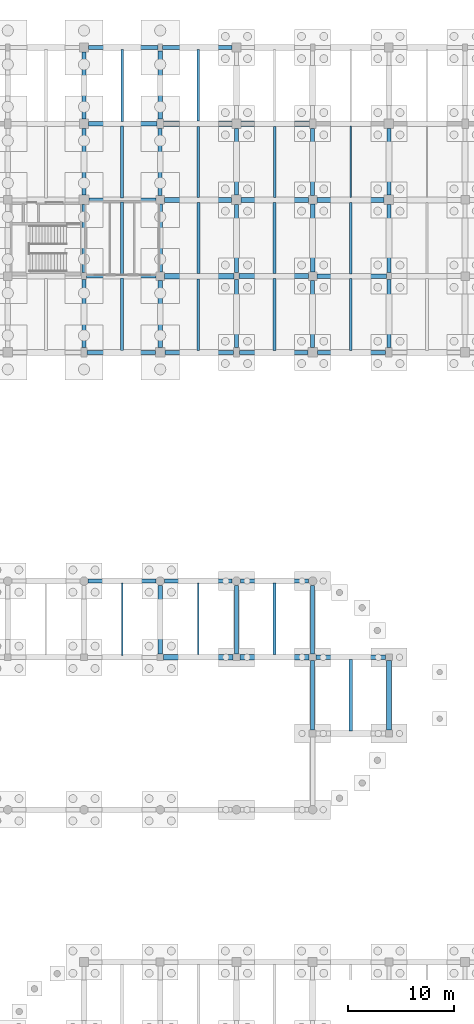
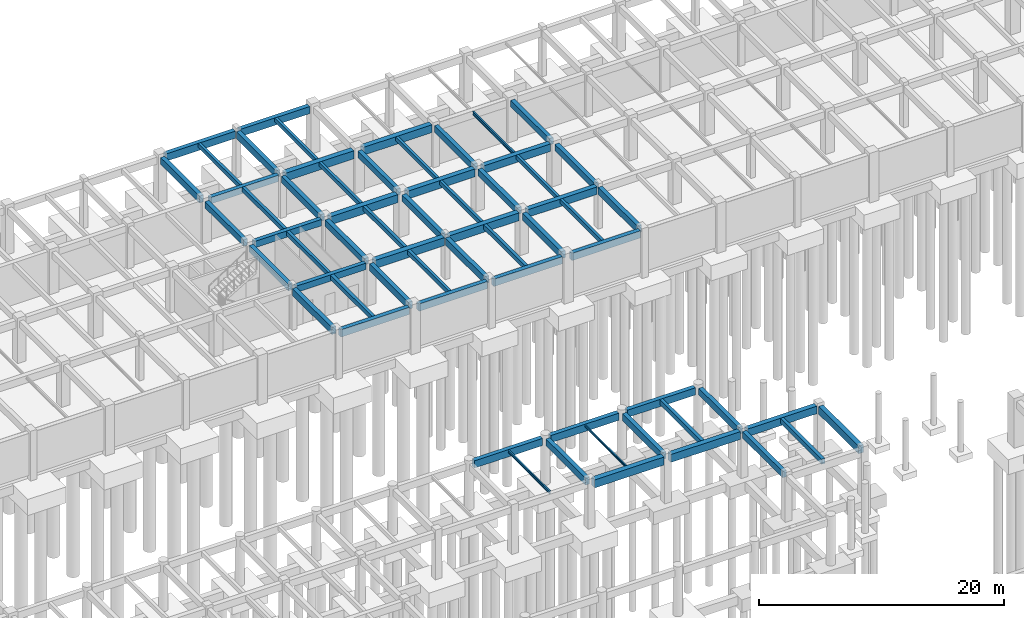
# One storey, part 31 of 47: 63 beams.
"""IFC4 building model written with IfcOpenShell, lengths in metres."""

from ifc_helpers import new_model, si_unit, direction, frame, origin, origin_2d, place, context, subcontext, project, spatial, rectangle, i_section, extrude, material, material_profile, profile_set, type_object, element, save


model = new_model("IFC4")

# Units and contexts
model_context = context("Model", 3, precision=1e-05, world=origin(), true_north=direction((0.0, 1.0)))
body_context = subcontext(model_context, "Body", "Model", "MODEL_VIEW")
ifc_project = project(units=[si_unit("LENGTHUNIT", "METRE"), si_unit("AREAUNIT", "SQUARE_METRE"), si_unit("VOLUMEUNIT", "CUBIC_METRE"), si_unit("PLANEANGLEUNIT", "RADIAN"), si_unit("MASSUNIT", "GRAM", prefix="KILO")], contexts=[model_context])

# Site, building, storey
site_placement = place(None, origin())
site = spatial("IfcSite", under=ifc_project, at=site_placement, CompositionType="ELEMENT")
building_placement = place(site_placement, origin())
building = spatial("IfcBuilding", under=site, at=building_placement, Name="Thalmaran Polytechnic", CompositionType="ELEMENT")
storey_placement = place(building_placement, frame((0.0, 0.0, -4.5)))
storey = spatial("IfcBuildingStorey", under=building, at=storey_placement, Name="B1", CompositionType="ELEMENT", Elevation=-4.5)

# Beams
ifc_material_1 = material(Name="Concrete C40/50", Category="concrete")
ifc_material_profile_1 = material_profile(ifc_material_1, rectangle(XDim=0.5, YDim=0.800048828125, at=origin_2d()), Name="RC 500x800")
ifc_profile_set_1 = profile_set([ifc_material_profile_1], Name="Concrete C40/50")
beam_type_1 = type_object("IfcBeamType", Name="BM-RC02", PredefinedType="BEAM", material=ifc_profile_set_1)
beam_1_placement = place(storey_placement, frame((72.324951171875, 64.800048828125, 3.7900390625), z_axis=(1.0, 0.0, 0.0), x_axis=(0.0, 1.0, 0.0)))
element("IfcBeam", 1, at=beam_1_placement, inside=storey, type_object=beam_type_1, Name="Grid Beam B02 B1 X(10,9)", PredefinedType="BEAM", context=body_context, shape_type="SweptSolid", body=[
    extrude(rectangle(XDim=0.5, YDim=0.800048828125, at=origin_2d()), origin(), (0.0, 0.0, 1.0), 6.550048828125),
])
beam_2_placement = place(storey_placement, frame((72.409912109375, 100.800048828125, 3.77001953125), z_axis=(1.0, 0.0, 0.0), x_axis=(0.0, 1.0, 0.0)))
element("IfcBeam", 2, at=beam_2_placement, inside=storey, type_object=beam_type_1, Name="Grid Beam B02 B1 X(10,14)", PredefinedType="BEAM", context=body_context, shape_type="SweptSolid", body=[
    extrude(rectangle(XDim=0.5, YDim=0.800048828125, at=origin_2d()), origin(), (0.0, 0.0, 1.0), 6.565185546875),
])
beam_3_placement = place(storey_placement, frame((72.39990234375, 108.0, 3.77001953125), z_axis=(1.0, 0.0, 0.0), x_axis=(0.0, 1.0, 0.0)))
element("IfcBeam", 3, at=beam_3_placement, inside=storey, type_object=beam_type_1, Name="Grid Beam B02 B1 X(10,15)", PredefinedType="BEAM", context=body_context, shape_type="SweptSolid", body=[
    extrude(rectangle(XDim=0.5, YDim=0.800048828125, at=origin_2d()), origin(), (0.0, 0.0, 1.0), 6.35009765625),
])
beam_4_placement = place(storey_placement, frame((72.300048828125, 115.199951171875, 3.77001953125), z_axis=(1.0, 0.0, 0.0), x_axis=(0.0, 1.0, 0.0)))
element("IfcBeam", 4, at=beam_4_placement, inside=storey, type_object=beam_type_1, Name="Grid Beam B02 B1 X(10,16)", PredefinedType="BEAM", context=body_context, shape_type="SweptSolid", body=[
    extrude(rectangle(XDim=0.5, YDim=0.800048828125, at=origin_2d()), origin(), (0.0, 0.0, 1.0), 6.4599609375),
])
ifc_material_profile_2 = material_profile(ifc_material_1, rectangle(XDim=0.449951171875, YDim=0.75, at=origin_2d()), Name="RC 450x750")
ifc_profile_set_2 = profile_set([ifc_material_profile_2], Name="Concrete C40/50")
beam_type_2 = type_object("IfcBeamType", Name="BM-RC03", PredefinedType="BEAM", material=ifc_profile_set_2)
beam_5_placement = place(storey_placement, frame((86.72509765625, 64.800048828125, 3.81494140625), z_axis=(1.0, 0.0, 0.0), x_axis=(0.0, 1.0, 0.0)))
element("IfcBeam", 5, at=beam_5_placement, inside=storey, type_object=beam_type_2, Name="Grid Beam B03 B1 X(12,9)", PredefinedType="BEAM", context=body_context, shape_type="SweptSolid", body=[
    extrude(rectangle(XDim=0.449951171875, YDim=0.75, at=origin_2d()), origin(), (0.0, 0.0, 1.0), 6.5498046875),
])
beam_6_placement = place(storey_placement, frame((86.81005859375, 100.800048828125, 3.794921875), z_axis=(1.0, 0.0, 0.0), x_axis=(0.0, 1.0, 0.0)))
element("IfcBeam", 6, at=beam_6_placement, inside=storey, type_object=beam_type_2, Name="Grid Beam B03 B1 X(12,14)", PredefinedType="BEAM", context=body_context, shape_type="SweptSolid", body=[
    extrude(rectangle(XDim=0.449951171875, YDim=0.75, at=origin_2d()), origin(), (0.0, 0.0, 1.0), 6.56494140625),
])
beam_7_placement = place(storey_placement, frame((86.800048828125, 108.0, 3.794921875), z_axis=(1.0, 0.0, 0.0), x_axis=(0.0, 1.0, 0.0)))
element("IfcBeam", 7, at=beam_7_placement, inside=storey, type_object=beam_type_2, Name="Grid Beam B03 B1 X(12,15)", PredefinedType="BEAM", context=body_context, shape_type="SweptSolid", body=[
    extrude(rectangle(XDim=0.449951171875, YDim=0.75, at=origin_2d()), origin(), (0.0, 0.0, 1.0), 6.349853515625),
])
ifc_material_profile_3 = material_profile(ifc_material_1, rectangle(XDim=0.39990234375, YDim=0.6298828125, at=origin_2d()), Name="RC 400x630")
ifc_profile_set_3 = profile_set([ifc_material_profile_3], Name="Concrete C40/50")
beam_type_3 = type_object("IfcBeamType", Name="BM-RC07", PredefinedType="BEAM", material=ifc_profile_set_3)
beam_8_placement = place(storey_placement, frame((64.800048828125, 101.125, 3.85498046875), z_axis=(0.0, 1.0, 0.0), x_axis=(-1.0, 0.0, 0.0)))
element("IfcBeam", 8, at=beam_8_placement, inside=storey, type_object=beam_type_3, Name="Grid Beam B07 B1 Y(9,14)", PredefinedType="BEAM", context=body_context, shape_type="SweptSolid", body=[
    extrude(rectangle(XDim=0.39990234375, YDim=0.6298828125, at=origin_2d()), origin(), (0.0, 0.0, 1.0), 6.425048828125),
])
beam_9_placement = place(storey_placement, frame((72.0, 101.2099609375, 3.85498046875), z_axis=(0.0, 1.0, 0.0), x_axis=(-1.0, 0.0, 0.0)))
element("IfcBeam", 9, at=beam_9_placement, inside=storey, type_object=beam_type_3, Name="Grid Beam B07 B1 Y(10,14)", PredefinedType="BEAM", context=body_context, shape_type="SweptSolid", body=[
    extrude(rectangle(XDim=0.39990234375, YDim=0.6298828125, at=origin_2d()), origin(), (0.0, 0.0, 1.0), 6.39013671875),
])
beam_10_placement = place(storey_placement, frame((79.199951171875, 101.125, 3.85498046875), z_axis=(0.0, 1.0, 0.0), x_axis=(-1.0, 0.0, 0.0)))
element("IfcBeam", 10, at=beam_10_placement, inside=storey, type_object=beam_type_3, Name="Grid Beam B07 B1 Y(11,14)", PredefinedType="BEAM", context=body_context, shape_type="SweptSolid", body=[
    extrude(rectangle(XDim=0.39990234375, YDim=0.6298828125, at=origin_2d()), origin(), (0.0, 0.0, 1.0), 6.425048828125),
])
beam_11_placement = place(storey_placement, frame((86.39990234375, 101.2099609375, 3.85498046875), z_axis=(0.0, 1.0, 0.0), x_axis=(-1.0, 0.0, 0.0)))
element("IfcBeam", 11, at=beam_11_placement, inside=storey, type_object=beam_type_3, Name="Grid Beam B07 B1 Y(12,14)", PredefinedType="BEAM", context=body_context, shape_type="SweptSolid", body=[
    extrude(rectangle(XDim=0.39990234375, YDim=0.6298828125, at=origin_2d()), origin(), (0.0, 0.0, 1.0), 6.39013671875),
])
beam_12_placement = place(storey_placement, frame((93.60009765625, 101.125, 3.85498046875), z_axis=(0.0, 1.0, 0.0), x_axis=(-1.0, 0.0, 0.0)))
element("IfcBeam", 12, at=beam_12_placement, inside=storey, type_object=beam_type_3, Name="Grid Beam B07 B1 Y(13,14)", PredefinedType="BEAM", context=body_context, shape_type="SweptSolid", body=[
    extrude(rectangle(XDim=0.39990234375, YDim=0.6298828125, at=origin_2d()), origin(), (0.0, 0.0, 1.0), 6.425048828125),
])
ifc_material_profile_4 = material_profile(ifc_material_1, rectangle(XDim=0.389892578125, YDim=0.68505859375, at=origin_2d()), Name="RC 390x685")
ifc_profile_set_4 = profile_set([ifc_material_profile_4], Name="Concrete C40/50")
beam_type_4 = type_object("IfcBeamType", Name="BM-RC08", PredefinedType="BEAM", material=ifc_profile_set_4)
beam_13_placement = place(storey_placement, frame((64.800048828125, 115.639892578125, 3.827392578125), z_axis=(0.0, 1.0, 0.0), x_axis=(-1.0, 0.0, 0.0)))
element("IfcBeam", 13, at=beam_13_placement, inside=storey, type_object=beam_type_4, Name="Grid Beam B08 B1 Y(9,16)", PredefinedType="BEAM", context=body_context, shape_type="SweptSolid", body=[
    extrude(rectangle(XDim=0.389892578125, YDim=0.68505859375, at=origin_2d()), origin(), (0.0, 0.0, 1.0), 6.35009765625),
])
beam_14_placement = place(storey_placement, frame((72.0, 65.125, 3.847412109375), z_axis=(0.0, 1.0, 0.0), x_axis=(-1.0, 0.0, 0.0)))
element("IfcBeam", 14, at=beam_14_placement, inside=storey, type_object=beam_type_4, Name="Grid Beam B08 B1 Y(10,9)", PredefinedType="BEAM", context=body_context, shape_type="SweptSolid", body=[
    extrude(rectangle(XDim=0.389892578125, YDim=0.68505859375, at=origin_2d()), origin(), (0.0, 0.0, 1.0), 6.47509765625),
])
beam_15_placement = place(storey_placement, frame((72.0, 115.64990234375, 3.827392578125), z_axis=(0.0, 1.0, 0.0), x_axis=(-1.0, 0.0, 0.0)))
element("IfcBeam", 15, at=beam_15_placement, inside=storey, type_object=beam_type_4, Name="Grid Beam B08 B1 Y(10,16)", PredefinedType="BEAM", context=body_context, shape_type="SweptSolid", body=[
    extrude(rectangle(XDim=0.389892578125, YDim=0.68505859375, at=origin_2d()), origin(), (0.0, 0.0, 1.0), 6.425048828125),
])
for number, where, z_axis, x_axis, name in (
    (16, (79.199951171875, 65.125, 3.847412109375), (0.0, 1.0, 0.0), (-1.0, 0.0, 0.0), "Grid Beam B08 B1 Y(11,9)"),
    (17, (86.39990234375, 65.125, 3.847412109375), (0.0, 1.0, 0.0), (-1.0, 0.0, 0.0), "Grid Beam B08 B1 Y(12,9)"),
):
    element("IfcBeam", number, at=place(storey_placement, frame(where, z_axis=z_axis, x_axis=x_axis)), inside=storey, type_object=beam_type_4, Name=name, PredefinedType="BEAM", context=body_context, shape_type="SweptSolid", body=[
        extrude(rectangle(XDim=0.389892578125, YDim=0.68505859375, at=origin_2d()), origin(), (0.0, 0.0, 1.0), 6.47509765625),
    ])
ifc_material_profile_5 = material_profile(ifc_material_1, rectangle(XDim=0.389892578125, YDim=0.695068359375, at=origin_2d()), Name="RC 390x695")
ifc_profile_set_5 = profile_set([ifc_material_profile_5], Name="Concrete C40/50")
beam_type_5 = type_object("IfcBeamType", Name="BM-RC10", PredefinedType="BEAM", material=ifc_profile_set_5)
beam_16_placement = place(storey_placement, frame((64.800048828125, 94.050048828125, 3.822509765625), z_axis=(0.0, 1.0, 0.0), x_axis=(-1.0, 0.0, 0.0)))
element("IfcBeam", 18, at=beam_16_placement, inside=storey, type_object=beam_type_5, Name="Grid Beam B10 B1 Y(9,13)", PredefinedType="BEAM", context=body_context, shape_type="SweptSolid", body=[
    extrude(rectangle(XDim=0.389892578125, YDim=0.695068359375, at=origin_2d()), origin(), (0.0, 0.0, 1.0), 6.425048828125),
])
beam_17_placement = place(storey_placement, frame((72.0, 94.0400390625, 3.822509765625), z_axis=(0.0, 1.0, 0.0), x_axis=(-1.0, 0.0, 0.0)))
element("IfcBeam", 19, at=beam_17_placement, inside=storey, type_object=beam_type_5, Name="Grid Beam B10 B1 Y(10,13)", PredefinedType="BEAM", context=body_context, shape_type="SweptSolid", body=[
    extrude(rectangle(XDim=0.389892578125, YDim=0.695068359375, at=origin_2d()), origin(), (0.0, 0.0, 1.0), 6.349853515625),
])
beam_18_placement = place(storey_placement, frame((79.199951171875, 94.050048828125, 3.822509765625), z_axis=(0.0, 1.0, 0.0), x_axis=(-1.0, 0.0, 0.0)))
element("IfcBeam", 20, at=beam_18_placement, inside=storey, type_object=beam_type_5, Name="Grid Beam B10 B1 Y(11,13)", PredefinedType="BEAM", context=body_context, shape_type="SweptSolid", body=[
    extrude(rectangle(XDim=0.389892578125, YDim=0.695068359375, at=origin_2d()), origin(), (0.0, 0.0, 1.0), 6.425048828125),
])
beam_19_placement = place(storey_placement, frame((86.39990234375, 94.0400390625, 3.822509765625), z_axis=(0.0, 1.0, 0.0), x_axis=(-1.0, 0.0, 0.0)))
element("IfcBeam", 21, at=beam_19_placement, inside=storey, type_object=beam_type_5, Name="Grid Beam B10 B1 Y(12,13)", PredefinedType="BEAM", context=body_context, shape_type="SweptSolid", body=[
    extrude(rectangle(XDim=0.389892578125, YDim=0.695068359375, at=origin_2d()), origin(), (0.0, 0.0, 1.0), 6.349853515625),
])
beam_20_placement = place(storey_placement, frame((93.60009765625, 94.050048828125, 3.822509765625), z_axis=(0.0, 1.0, 0.0), x_axis=(-1.0, 0.0, 0.0)))
element("IfcBeam", 22, at=beam_20_placement, inside=storey, type_object=beam_type_5, Name="Grid Beam B10 B1 Y(13,13)", PredefinedType="BEAM", context=body_context, shape_type="SweptSolid", body=[
    extrude(rectangle(XDim=0.389892578125, YDim=0.695068359375, at=origin_2d()), origin(), (0.0, 0.0, 1.0), 6.425048828125),
])
ifc_material_profile_6 = material_profile(ifc_material_1, rectangle(XDim=0.300048828125, YDim=0.5, at=origin_2d()), Name="RC 300x500")
ifc_profile_set_6 = profile_set([ifc_material_profile_6], Name="Concrete C40/50")
beam_type_6 = type_object("IfcBeamType", Name="BM-RC11", PredefinedType="JOIST", material=ifc_profile_set_6)
beam_21_placement = place(storey_placement, frame((82.800048828125, 65.0400390625, 3.93994140625), z_axis=(0.0, 1.0, 0.0), x_axis=(-1.0, 0.0, 0.0)))
element("IfcBeam", 23, at=beam_21_placement, inside=storey, type_object=beam_type_6, Name="Secondary Floor Rib RB01 B1 (11,9)", PredefinedType="JOIST", context=body_context, shape_type="SweptSolid", body=[
    extrude(rectangle(XDim=0.300048828125, YDim=0.5, at=origin_2d()), origin(), (0.0, 0.0, 1.0), 6.760009765625),
])
beam_22_placement = place(storey_placement, frame((90.0, 57.824951171875, 3.93994140625), z_axis=(0.0, 1.0, 0.0), x_axis=(-1.0, 0.0, 0.0)))
element("IfcBeam", 24, at=beam_22_placement, inside=storey, type_object=beam_type_6, Name="Secondary Floor Rib RB01 B1 (12,8)", PredefinedType="JOIST", context=body_context, shape_type="SweptSolid", body=[
    extrude(rectangle(XDim=0.300048828125, YDim=0.5, at=origin_2d()), origin(), (0.0, 0.0, 1.0), 6.75),
])
ifc_material_profile_7 = material_profile(ifc_material_1, rectangle(XDim=0.300048828125, YDim=0.449951171875, at=origin_2d()), Name="RC 300x450")
ifc_profile_set_7 = profile_set([ifc_material_profile_7], Name="Concrete C40/50")
beam_type_7 = type_object("IfcBeamType", Name="BM-RC12", PredefinedType="JOIST", material=ifc_profile_set_7)
beam_23_placement = place(storey_placement, frame((68.39990234375, 93.800048828125, 3.945068359375), z_axis=(0.0, 1.0, 0.0), x_axis=(-1.0, 0.0, 0.0)))
element("IfcBeam", 25, at=beam_23_placement, inside=storey, type_object=beam_type_7, Name="Secondary Floor Rib RB02 B1 (9,13)", PredefinedType="JOIST", context=body_context, shape_type="SweptSolid", body=[
    extrude(rectangle(XDim=0.300048828125, YDim=0.449951171875, at=origin_2d()), origin(), (0.0, 0.0, 1.0), 6.81005859375),
])
ifc_material_profile_8 = material_profile(ifc_material_1, rectangle(XDim=0.280029296875, YDim=0.449951171875, at=origin_2d()), Name="RC 280x450")
ifc_profile_set_8 = profile_set([ifc_material_profile_8], Name="Concrete C40/50")
beam_type_8 = type_object("IfcBeamType", Name="BM-RC13", PredefinedType="JOIST", material=ifc_profile_set_8)
beam_24_placement = place(storey_placement, frame((68.39990234375, 108.18994140625, 3.945068359375), z_axis=(0.0, 1.0, 0.0), x_axis=(-1.0, 0.0, 0.0)))
element("IfcBeam", 26, at=beam_24_placement, inside=storey, type_object=beam_type_8, Name="Secondary Floor Rib RB03 B1 (9,15)", PredefinedType="JOIST", context=body_context, shape_type="SweptSolid", body=[
    extrude(rectangle(XDim=0.280029296875, YDim=0.449951171875, at=origin_2d()), origin(), (0.0, 0.0, 1.0), 6.820068359375),
])
beam_25_placement = place(storey_placement, frame((75.60009765625, 101.050048828125, 3.945068359375), z_axis=(0.0, 1.0, 0.0), x_axis=(-1.0, 0.0, 0.0)))
element("IfcBeam", 27, at=beam_25_placement, inside=storey, type_object=beam_type_8, Name="Secondary Floor Rib RB03 B1 (10,14)", PredefinedType="JOIST", context=body_context, shape_type="SweptSolid", body=[
    extrude(rectangle(XDim=0.280029296875, YDim=0.449951171875, at=origin_2d()), origin(), (0.0, 0.0, 1.0), 6.699951171875),
])
beam_26_placement = place(storey_placement, frame((82.800048828125, 93.800048828125, 3.945068359375), z_axis=(0.0, 1.0, 0.0), x_axis=(-1.0, 0.0, 0.0)))
element("IfcBeam", 28, at=beam_26_placement, inside=storey, type_object=beam_type_8, Name="Secondary Floor Rib RB03 B1 (11,13)", PredefinedType="JOIST", context=body_context, shape_type="SweptSolid", body=[
    extrude(rectangle(XDim=0.280029296875, YDim=0.449951171875, at=origin_2d()), origin(), (0.0, 0.0, 1.0), 6.760009765625),
])
ifc_material_2 = material(Name="Steel S355", Category="steel")
ifc_material_profile_9 = material_profile(ifc_material_2, i_section(OverallWidth=0.159912109375, OverallDepth=0.330078125, WebThickness=0.007568359375, FlangeThickness=0.011474609375, at=origin_2d()), Name="IPE 330")
ifc_profile_set_9 = profile_set([ifc_material_profile_9], Name="Steel S355")
beam_type_9 = type_object("IfcBeamType", Name="BM-SJ02", PredefinedType="JOIST", material=ifc_profile_set_9)
beam_27_placement = place(storey_placement, frame((90.0, 108.22509765625, 4.0048828125), z_axis=(0.0, 1.0, 0.0), x_axis=(-1.0, 0.0, 0.0)))
element("IfcBeam", 29, at=beam_27_placement, inside=storey, type_object=beam_type_9, Name="Secondary Floor Rib SJ02 B1 (12,15)", PredefinedType="JOIST", context=body_context, shape_type="SweptSolid", body=[
    extrude(i_section(OverallWidth=0.159912109375, OverallDepth=0.330078125, WebThickness=0.007568359375, FlangeThickness=0.011474609375, at=origin_2d()), origin(), (0.0, 0.0, 1.0), 6.75),
])
ifc_material_profile_10 = material_profile(ifc_material_2, i_section(OverallWidth=0.135009765625, OverallDepth=0.27001953125, WebThickness=0.006591796875, FlangeThickness=0.01025390625, at=origin_2d()), Name="IPE 270")
ifc_profile_set_10 = profile_set([ifc_material_profile_10], Name="Steel S355")
beam_type_10 = type_object("IfcBeamType", Name="BM-SJ03", PredefinedType="JOIST", material=ifc_profile_set_10)
beam_28_placement = place(storey_placement, frame((68.39990234375, 64.989990234375, 4.054931640625), z_axis=(0.0, 1.0, 0.0), x_axis=(-1.0, 0.0, 0.0)))
element("IfcBeam", 30, at=beam_28_placement, inside=storey, type_object=beam_type_10, Name="Secondary Floor Rib SJ03 B1 (9,9)", PredefinedType="JOIST", context=body_context, shape_type="SweptSolid", body=[
    extrude(i_section(OverallWidth=0.135009765625, OverallDepth=0.27001953125, WebThickness=0.006591796875, FlangeThickness=0.01025390625, at=origin_2d()), origin(), (0.0, 0.0, 1.0), 6.81005859375),
])
ifc_material_profile_11 = material_profile(ifc_material_2, i_section(OverallWidth=0.110107421875, OverallDepth=0.219970703125, WebThickness=0.005859375, FlangeThickness=0.00927734375, at=origin_2d()), Name="IPE 220")
ifc_profile_set_11 = profile_set([ifc_material_profile_11], Name="Steel S355")
beam_type_11 = type_object("IfcBeamType", Name="BM-SJ04", PredefinedType="JOIST", material=ifc_profile_set_11)
beam_29_placement = place(storey_placement, frame((75.60009765625, 65.050048828125, 4.080078125), z_axis=(0.0, 1.0, 0.0), x_axis=(-1.0, 0.0, 0.0)))
element("IfcBeam", 31, at=beam_29_placement, inside=storey, type_object=beam_type_11, Name="Secondary Floor Rib SJ04 B1 (10,9)", PredefinedType="JOIST", context=body_context, shape_type="SweptSolid", body=[
    extrude(i_section(OverallWidth=0.110107421875, OverallDepth=0.219970703125, WebThickness=0.005859375, FlangeThickness=0.00927734375, at=origin_2d()), origin(), (0.0, 0.0, 1.0), 6.75),
])
ifc_material_profile_12 = material_profile(ifc_material_1, rectangle(XDim=0.39990234375, YDim=0.719970703125, at=origin_2d()), Name="RC 400x720")
ifc_profile_set_12 = profile_set([ifc_material_profile_12], Name="Concrete C40/50")
beam_type_12 = type_object("IfcBeamType", Name="BM-SP01", PredefinedType="SPANDREL", material=ifc_profile_set_12)
beam_30_placement = place(storey_placement, frame((65.199951171875, 72.0, 3.830078125), z_axis=(1.0, 0.0, 0.0), x_axis=(0.0, 1.0, 0.0)))
element("IfcBeam", 32, at=beam_30_placement, inside=storey, type_object=beam_type_12, Name="Grid Beam SP01 B1 X(9,10)", PredefinedType="SPANDREL", context=body_context, shape_type="SweptSolid", body=[
    extrude(rectangle(XDim=0.39990234375, YDim=0.719970703125, at=origin_2d()), origin(), (0.0, 0.0, 1.0), 6.400146484375),
])
beam_31_placement = place(storey_placement, frame((65.10009765625, 93.60009765625, 3.81005859375), z_axis=(1.0, 0.0, 0.0), x_axis=(0.0, 1.0, 0.0)))
element("IfcBeam", 33, at=beam_31_placement, inside=storey, type_object=beam_type_12, Name="Grid Beam SP01 B1 X(9,13)", PredefinedType="SPANDREL", context=body_context, shape_type="SweptSolid", body=[
    extrude(rectangle(XDim=0.39990234375, YDim=0.719970703125, at=origin_2d()), origin(), (0.0, 0.0, 1.0), 6.4599609375),
])
beam_32_placement = place(storey_placement, frame((65.2099609375, 122.39990234375, 3.81005859375), z_axis=(1.0, 0.0, 0.0), x_axis=(0.0, 1.0, 0.0)))
element("IfcBeam", 34, at=beam_32_placement, inside=storey, type_object=beam_type_12, Name="Grid Beam SP01 B1 X(9,17)", PredefinedType="SPANDREL", context=body_context, shape_type="SweptSolid", body=[
    extrude(rectangle(XDim=0.39990234375, YDim=0.719970703125, at=origin_2d()), origin(), (0.0, 0.0, 1.0), 6.56494140625),
])
beam_33_placement = place(storey_placement, frame((72.39990234375, 72.0, 3.830078125), z_axis=(1.0, 0.0, 0.0), x_axis=(0.0, 1.0, 0.0)))
element("IfcBeam", 35, at=beam_33_placement, inside=storey, type_object=beam_type_12, Name="Grid Beam SP01 B1 X(10,10)", PredefinedType="SPANDREL", context=body_context, shape_type="SweptSolid", body=[
    extrude(rectangle(XDim=0.39990234375, YDim=0.719970703125, at=origin_2d()), origin(), (0.0, 0.0, 1.0), 6.400146484375),
])
beam_34_placement = place(storey_placement, frame((72.43994140625, 93.60009765625, 3.81005859375), z_axis=(1.0, 0.0, 0.0), x_axis=(0.0, 1.0, 0.0)))
element("IfcBeam", 36, at=beam_34_placement, inside=storey, type_object=beam_type_12, Name="Grid Beam SP01 B1 X(10,13)", PredefinedType="SPANDREL", context=body_context, shape_type="SweptSolid", body=[
    extrude(rectangle(XDim=0.39990234375, YDim=0.719970703125, at=origin_2d()), origin(), (0.0, 0.0, 1.0), 6.4599609375),
])
beam_35_placement = place(storey_placement, frame((72.22509765625, 122.39990234375, 3.81005859375), z_axis=(1.0, 0.0, 0.0), x_axis=(0.0, 1.0, 0.0)))
element("IfcBeam", 37, at=beam_35_placement, inside=storey, type_object=beam_type_12, Name="Grid Beam SP01 B1 X(10,17)", PredefinedType="SPANDREL", context=body_context, shape_type="SweptSolid", body=[
    extrude(rectangle(XDim=0.39990234375, YDim=0.719970703125, at=origin_2d()), origin(), (0.0, 0.0, 1.0), 6.56494140625),
])
beam_36_placement = place(storey_placement, frame((79.60009765625, 72.0, 3.830078125), z_axis=(1.0, 0.0, 0.0), x_axis=(0.0, 1.0, 0.0)))
element("IfcBeam", 38, at=beam_36_placement, inside=storey, type_object=beam_type_12, Name="Grid Beam SP01 B1 X(11,10)", PredefinedType="SPANDREL", context=body_context, shape_type="SweptSolid", body=[
    extrude(rectangle(XDim=0.39990234375, YDim=0.719970703125, at=origin_2d()), origin(), (0.0, 0.0, 1.0), 6.39990234375),
])
for number, where, z_axis, x_axis, name in (
    (39, (79.5, 93.60009765625, 3.81005859375), (1.0, 0.0, 0.0), (0.0, 1.0, 0.0), "Grid Beam SP01 B1 X(11,13)"),
    (40, (86.840087890625, 93.60009765625, 3.81005859375), (1.0, 0.0, 0.0), (0.0, 1.0, 0.0), "Grid Beam SP01 B1 X(12,13)"),
):
    element("IfcBeam", number, at=place(storey_placement, frame(where, z_axis=z_axis, x_axis=x_axis)), inside=storey, type_object=beam_type_12, Name=name, PredefinedType="SPANDREL", context=body_context, shape_type="SweptSolid", body=[
        extrude(rectangle(XDim=0.39990234375, YDim=0.719970703125, at=origin_2d()), origin(), (0.0, 0.0, 1.0), 6.4599609375),
    ])
ifc_material_profile_13 = material_profile(ifc_material_1, rectangle(XDim=0.449951171875, YDim=0.7548828125, at=origin_2d()), Name="RC 450x755")
ifc_profile_set_13 = profile_set([ifc_material_profile_13], Name="Concrete C40/50")
beam_type_13 = type_object("IfcBeamType", Name="BM-SP02", PredefinedType="SPANDREL", material=ifc_profile_set_13)
beam_37_placement = place(storey_placement, frame((93.60009765625, 57.925048828125, 3.8125), z_axis=(0.0, 1.0, 0.0), x_axis=(-1.0, 0.0, 0.0)))
element("IfcBeam", 41, at=beam_37_placement, inside=storey, type_object=beam_type_13, Name="Grid Beam SP02 B1 Y(13,8)", PredefinedType="SPANDREL", context=body_context, shape_type="SweptSolid", body=[
    extrude(rectangle(XDim=0.449951171875, YDim=0.7548828125, at=origin_2d()), origin(), (0.0, 0.0, 1.0), 6.550048828125),
])
ifc_material_profile_14 = material_profile(ifc_material_1, rectangle(XDim=0.47998046875, YDim=0.780029296875, at=origin_2d()), Name="RC 480x780")
ifc_profile_set_14 = profile_set([ifc_material_profile_14], Name="Concrete C40/50")
beam_type_14 = type_object("IfcBeamType", Name="BM-ZB01", PredefinedType="BEAM", material=ifc_profile_set_14)
beam_38_placement = place(storey_placement, frame((79.52490234375, 64.800048828125, 3.800048828125), z_axis=(1.0, 0.0, 0.0), x_axis=(0.0, 1.0, 0.0)))
element("IfcBeam", 42, at=beam_38_placement, inside=storey, type_object=beam_type_14, Name="Grid Beam ZB01 B1 X(11,9)", PredefinedType="BEAM", context=body_context, shape_type="SweptSolid", body=[
    extrude(rectangle(XDim=0.47998046875, YDim=0.780029296875, at=origin_2d()), origin(), (0.0, 0.0, 1.0), 6.550048828125),
])
beam_39_placement = place(storey_placement, frame((79.425048828125, 100.800048828125, 3.780029296875), z_axis=(1.0, 0.0, 0.0), x_axis=(0.0, 1.0, 0.0)))
element("IfcBeam", 43, at=beam_39_placement, inside=storey, type_object=beam_type_14, Name="Grid Beam ZB01 B1 X(11,14)", PredefinedType="BEAM", context=body_context, shape_type="SweptSolid", body=[
    extrude(rectangle(XDim=0.47998046875, YDim=0.780029296875, at=origin_2d()), origin(), (0.0, 0.0, 1.0), 6.56494140625),
])
beam_40_placement = place(storey_placement, frame((79.64990234375, 108.0, 3.780029296875), z_axis=(1.0, 0.0, 0.0), x_axis=(0.0, 1.0, 0.0)))
element("IfcBeam", 44, at=beam_40_placement, inside=storey, type_object=beam_type_14, Name="Grid Beam ZB01 B1 X(11,15)", PredefinedType="BEAM", context=body_context, shape_type="SweptSolid", body=[
    extrude(rectangle(XDim=0.47998046875, YDim=0.780029296875, at=origin_2d()), origin(), (0.0, 0.0, 1.0), 6.35009765625),
])
beam_41_placement = place(storey_placement, frame((79.639892578125, 115.199951171875, 3.780029296875), z_axis=(1.0, 0.0, 0.0), x_axis=(0.0, 1.0, 0.0)))
element("IfcBeam", 45, at=beam_41_placement, inside=storey, type_object=beam_type_14, Name="Grid Beam ZB01 B1 X(11,16)", PredefinedType="BEAM", context=body_context, shape_type="SweptSolid", body=[
    extrude(rectangle(XDim=0.47998046875, YDim=0.780029296875, at=origin_2d()), origin(), (0.0, 0.0, 1.0), 6.460205078125),
])
ifc_material_profile_15 = material_profile(ifc_material_1, rectangle(XDim=0.3798828125, YDim=0.639892578125, at=origin_2d()), Name="RC 380x640")
ifc_profile_set_15 = profile_set([ifc_material_profile_15], Name="Concrete C40/50")
beam_type_15 = type_object("IfcBeamType", Name="BM-ZB05", PredefinedType="BEAM", material=ifc_profile_set_15)
beam_42_placement = place(storey_placement, frame((65.02490234375, 100.800048828125, 3.85009765625), z_axis=(1.0, 0.0, 0.0), x_axis=(0.0, 1.0, 0.0)))
element("IfcBeam", 46, at=beam_42_placement, inside=storey, type_object=beam_type_15, Name="Grid Beam ZB05 B1 X(9,14)", PredefinedType="BEAM", context=body_context, shape_type="SweptSolid", body=[
    extrude(rectangle(XDim=0.3798828125, YDim=0.639892578125, at=origin_2d()), origin(), (0.0, 0.0, 1.0), 6.565185546875),
])
beam_43_placement = place(storey_placement, frame((65.25, 108.0, 3.85009765625), z_axis=(1.0, 0.0, 0.0), x_axis=(0.0, 1.0, 0.0)))
element("IfcBeam", 47, at=beam_43_placement, inside=storey, type_object=beam_type_15, Name="Grid Beam ZB05 B1 X(9,15)", PredefinedType="BEAM", context=body_context, shape_type="SweptSolid", body=[
    extrude(rectangle(XDim=0.3798828125, YDim=0.639892578125, at=origin_2d()), origin(), (0.0, 0.0, 1.0), 6.35009765625),
])
beam_44_placement = place(storey_placement, frame((65.239990234375, 115.199951171875, 3.85009765625), z_axis=(1.0, 0.0, 0.0), x_axis=(0.0, 1.0, 0.0)))
element("IfcBeam", 48, at=beam_44_placement, inside=storey, type_object=beam_type_15, Name="Grid Beam ZB05 B1 X(9,16)", PredefinedType="BEAM", context=body_context, shape_type="SweptSolid", body=[
    extrude(rectangle(XDim=0.3798828125, YDim=0.639892578125, at=origin_2d()), origin(), (0.0, 0.0, 1.0), 6.4599609375),
])
ifc_material_profile_16 = material_profile(ifc_material_1, rectangle(XDim=0.3798828125, YDim=0.635009765625, at=origin_2d()), Name="RC 380x635")
ifc_profile_set_16 = profile_set([ifc_material_profile_16], Name="Concrete C40/50")
beam_type_16 = type_object("IfcBeamType", Name="BM-ZB06", PredefinedType="BEAM", material=ifc_profile_set_16)
beam_45_placement = place(storey_placement, frame((64.800048828125, 108.449951171875, 3.8525390625), z_axis=(0.0, 1.0, 0.0), x_axis=(-1.0, 0.0, 0.0)))
element("IfcBeam", 49, at=beam_45_placement, inside=storey, type_object=beam_type_16, Name="Grid Beam ZB06 B1 Y(9,15)", PredefinedType="BEAM", context=body_context, shape_type="SweptSolid", body=[
    extrude(rectangle(XDim=0.3798828125, YDim=0.635009765625, at=origin_2d()), origin(), (0.0, 0.0, 1.0), 6.31005859375),
])
beam_46_placement = place(storey_placement, frame((72.0, 108.39990234375, 3.8525390625), z_axis=(0.0, 1.0, 0.0), x_axis=(-1.0, 0.0, 0.0)))
element("IfcBeam", 50, at=beam_46_placement, inside=storey, type_object=beam_type_16, Name="Grid Beam ZB06 B1 Y(10,15)", PredefinedType="BEAM", context=body_context, shape_type="SweptSolid", body=[
    extrude(rectangle(XDim=0.3798828125, YDim=0.635009765625, at=origin_2d()), origin(), (0.0, 0.0, 1.0), 6.35009765625),
])
beam_47_placement = place(storey_placement, frame((79.199951171875, 108.449951171875, 3.8525390625), z_axis=(0.0, 1.0, 0.0), x_axis=(-1.0, 0.0, 0.0)))
element("IfcBeam", 51, at=beam_47_placement, inside=storey, type_object=beam_type_16, Name="Grid Beam ZB06 B1 Y(11,15)", PredefinedType="BEAM", context=body_context, shape_type="SweptSolid", body=[
    extrude(rectangle(XDim=0.3798828125, YDim=0.635009765625, at=origin_2d()), origin(), (0.0, 0.0, 1.0), 6.31005859375),
])
beam_48_placement = place(storey_placement, frame((86.39990234375, 57.925048828125, 3.87255859375), z_axis=(0.0, 1.0, 0.0), x_axis=(-1.0, 0.0, 0.0)))
element("IfcBeam", 52, at=beam_48_placement, inside=storey, type_object=beam_type_16, Name="Grid Beam ZB06 B1 Y(12,8)", PredefinedType="BEAM", context=body_context, shape_type="SweptSolid", body=[
    extrude(rectangle(XDim=0.3798828125, YDim=0.635009765625, at=origin_2d()), origin(), (0.0, 0.0, 1.0), 6.550048828125),
])
beam_49_placement = place(storey_placement, frame((86.39990234375, 108.39990234375, 3.8525390625), z_axis=(0.0, 1.0, 0.0), x_axis=(-1.0, 0.0, 0.0)))
element("IfcBeam", 53, at=beam_49_placement, inside=storey, type_object=beam_type_16, Name="Grid Beam ZB06 B1 Y(12,15)", PredefinedType="BEAM", context=body_context, shape_type="SweptSolid", body=[
    extrude(rectangle(XDim=0.3798828125, YDim=0.635009765625, at=origin_2d()), origin(), (0.0, 0.0, 1.0), 6.35009765625),
])
beam_50_placement = place(storey_placement, frame((93.60009765625, 108.449951171875, 3.8525390625), z_axis=(0.0, 1.0, 0.0), x_axis=(-1.0, 0.0, 0.0)))
element("IfcBeam", 54, at=beam_50_placement, inside=storey, type_object=beam_type_16, Name="Grid Beam ZB06 B1 Y(13,15)", PredefinedType="BEAM", context=body_context, shape_type="SweptSolid", body=[
    extrude(rectangle(XDim=0.3798828125, YDim=0.635009765625, at=origin_2d()), origin(), (0.0, 0.0, 1.0), 6.31005859375),
])
ifc_material_profile_17 = material_profile(ifc_material_1, rectangle(XDim=0.260009765625, YDim=0.43994140625, at=origin_2d()), Name="RC 260x440")
ifc_profile_set_17 = profile_set([ifc_material_profile_17], Name="Concrete C40/50")
beam_type_17 = type_object("IfcBeamType", Name="BM-ZJ02", PredefinedType="JOIST", material=ifc_profile_set_17)
beam_51_placement = place(storey_placement, frame((68.39990234375, 100.989990234375, 3.949951171875), z_axis=(0.0, 1.0, 0.0), x_axis=(-1.0, 0.0, 0.0)))
element("IfcBeam", 55, at=beam_51_placement, inside=storey, type_object=beam_type_17, Name="Secondary Floor Rib ZJ02 B1 (9,14)", PredefinedType="JOIST", context=body_context, shape_type="SweptSolid", body=[
    extrude(rectangle(XDim=0.260009765625, YDim=0.43994140625, at=origin_2d()), origin(), (0.0, 0.0, 1.0), 6.820068359375),
])
beam_52_placement = place(storey_placement, frame((75.60009765625, 93.800048828125, 3.949951171875), z_axis=(0.0, 1.0, 0.0), x_axis=(-1.0, 0.0, 0.0)))
element("IfcBeam", 56, at=beam_52_placement, inside=storey, type_object=beam_type_17, Name="Secondary Floor Rib ZJ02 B1 (10,13)", PredefinedType="JOIST", context=body_context, shape_type="SweptSolid", body=[
    extrude(rectangle(XDim=0.260009765625, YDim=0.43994140625, at=origin_2d()), origin(), (0.0, 0.0, 1.0), 6.75),
])
ifc_material_profile_18 = material_profile(ifc_material_1, rectangle(XDim=0.25, YDim=0.419921875, at=origin_2d()), Name="RC 250x420")
ifc_profile_set_18 = profile_set([ifc_material_profile_18], Name="Concrete C40/50")
beam_type_18 = type_object("IfcBeamType", Name="BM-ZJ03", PredefinedType="JOIST", material=ifc_profile_set_18)
beam_53_placement = place(storey_placement, frame((68.39990234375, 115.389892578125, 3.9599609375), z_axis=(0.0, 1.0, 0.0), x_axis=(-1.0, 0.0, 0.0)))
element("IfcBeam", 57, at=beam_53_placement, inside=storey, type_object=beam_type_18, Name="Secondary Floor Rib ZJ03 B1 (9,16)", PredefinedType="JOIST", context=body_context, shape_type="SweptSolid", body=[
    extrude(rectangle(XDim=0.25, YDim=0.419921875, at=origin_2d()), origin(), (0.0, 0.0, 1.0), 6.81005859375),
])
beam_54_placement = place(storey_placement, frame((75.60009765625, 108.25, 3.9599609375), z_axis=(0.0, 1.0, 0.0), x_axis=(-1.0, 0.0, 0.0)))
element("IfcBeam", 58, at=beam_54_placement, inside=storey, type_object=beam_type_18, Name="Secondary Floor Rib ZJ03 B1 (10,15)", PredefinedType="JOIST", context=body_context, shape_type="SweptSolid", body=[
    extrude(rectangle(XDim=0.25, YDim=0.419921875, at=origin_2d()), origin(), (0.0, 0.0, 1.0), 6.699951171875),
])
beam_55_placement = place(storey_placement, frame((82.800048828125, 101.0400390625, 3.9599609375), z_axis=(0.0, 1.0, 0.0), x_axis=(-1.0, 0.0, 0.0)))
element("IfcBeam", 59, at=beam_55_placement, inside=storey, type_object=beam_type_18, Name="Secondary Floor Rib ZJ03 B1 (11,14)", PredefinedType="JOIST", context=body_context, shape_type="SweptSolid", body=[
    extrude(rectangle(XDim=0.25, YDim=0.419921875, at=origin_2d()), origin(), (0.0, 0.0, 1.0), 6.719970703125),
])
beam_56_placement = place(storey_placement, frame((90.0, 93.800048828125, 3.9599609375), z_axis=(0.0, 1.0, 0.0), x_axis=(-1.0, 0.0, 0.0)))
element("IfcBeam", 60, at=beam_56_placement, inside=storey, type_object=beam_type_18, Name="Secondary Floor Rib ZJ03 B1 (12,13)", PredefinedType="JOIST", context=body_context, shape_type="SweptSolid", body=[
    extrude(rectangle(XDim=0.25, YDim=0.419921875, at=origin_2d()), origin(), (0.0, 0.0, 1.0), 6.77490234375),
])
ifc_material_profile_19 = material_profile(ifc_material_1, rectangle(XDim=0.239990234375, YDim=0.39990234375, at=origin_2d()), Name="RC 240x400")
ifc_profile_set_19 = profile_set([ifc_material_profile_19], Name="Concrete C40/50")
beam_type_19 = type_object("IfcBeamType", Name="BM-ZJ04", PredefinedType="JOIST", material=ifc_profile_set_19)
beam_57_placement = place(storey_placement, frame((75.60009765625, 115.449951171875, 3.969970703125), z_axis=(0.0, 1.0, 0.0), x_axis=(-1.0, 0.0, 0.0)))
element("IfcBeam", 61, at=beam_57_placement, inside=storey, type_object=beam_type_19, Name="Secondary Floor Rib ZJ04 B1 (10,16)", PredefinedType="JOIST", context=body_context, shape_type="SweptSolid", body=[
    extrude(rectangle(XDim=0.239990234375, YDim=0.39990234375, at=origin_2d()), origin(), (0.0, 0.0, 1.0), 6.75),
])
beam_58_placement = place(storey_placement, frame((82.800048828125, 108.239990234375, 3.969970703125), z_axis=(0.0, 1.0, 0.0), x_axis=(-1.0, 0.0, 0.0)))
element("IfcBeam", 62, at=beam_58_placement, inside=storey, type_object=beam_type_19, Name="Secondary Floor Rib ZJ04 B1 (11,15)", PredefinedType="JOIST", context=body_context, shape_type="SweptSolid", body=[
    extrude(rectangle(XDim=0.239990234375, YDim=0.39990234375, at=origin_2d()), origin(), (0.0, 0.0, 1.0), 6.719970703125),
])
beam_59_placement = place(storey_placement, frame((90.0, 101.02490234375, 3.969970703125), z_axis=(0.0, 1.0, 0.0), x_axis=(-1.0, 0.0, 0.0)))
element("IfcBeam", 63, at=beam_59_placement, inside=storey, type_object=beam_type_19, Name="Secondary Floor Rib ZJ04 B1 (12,14)", PredefinedType="JOIST", context=body_context, shape_type="SweptSolid", body=[
    extrude(rectangle(XDim=0.239990234375, YDim=0.39990234375, at=origin_2d()), origin(), (0.0, 0.0, 1.0), 6.75),
])

save(model, "model.ifc")
